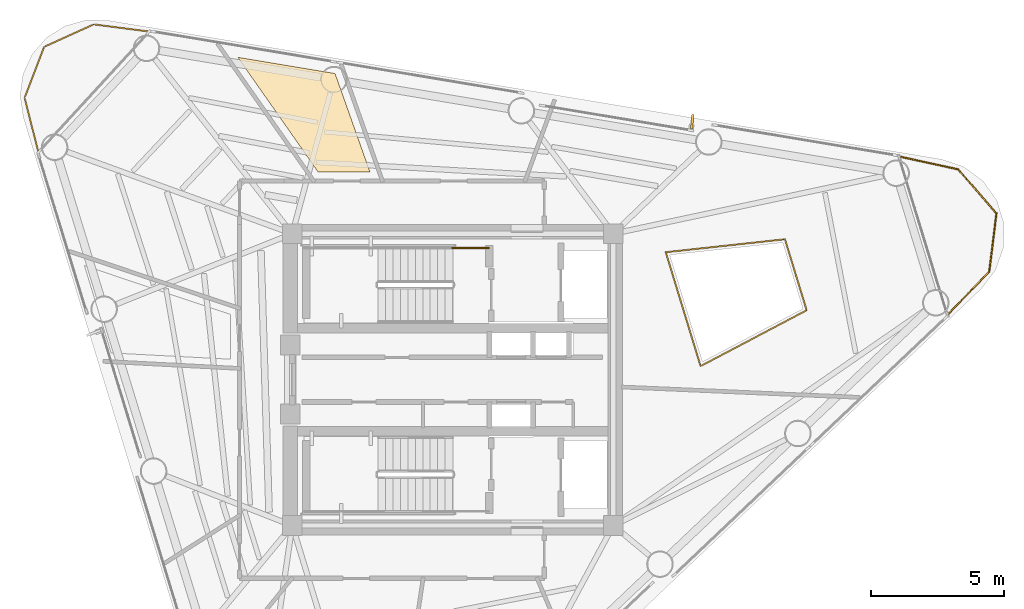
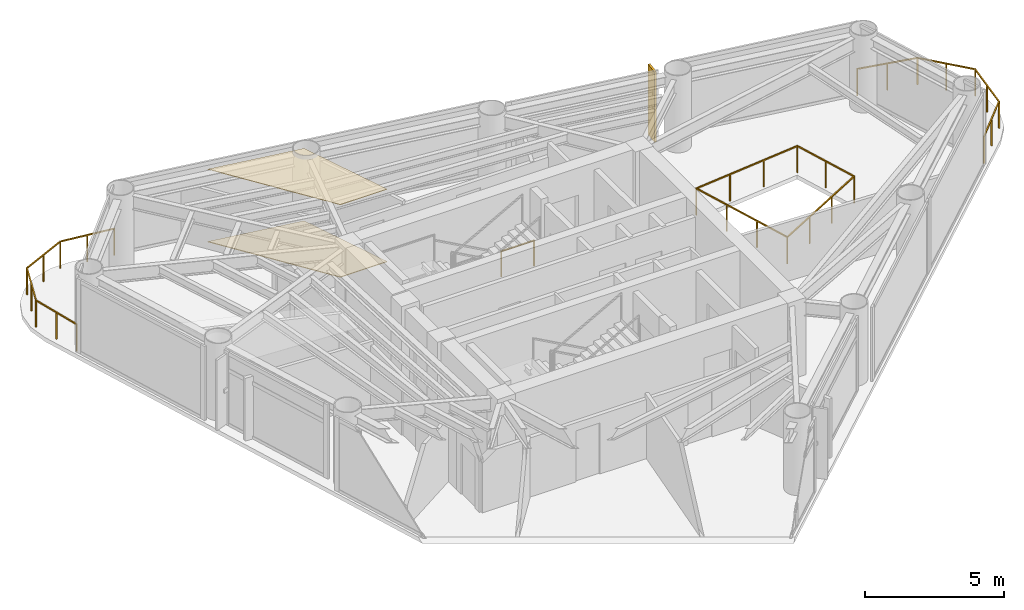
# One storey, part 9 of 9: 4 railings, 2 coverings, 1 shading device.
"""IFC4 building model written with IfcOpenShell, lengths in metres."""

from ifc_helpers import new_model, si_unit, direction, frame, origin, origin_2d, place, context, subcontext, project, spatial, polyline, rectangle, outline, extrude, source, transform, mapped, material, layer, layer_set, material_profile, profile_set, type_object, element, save


model = new_model("IFC4")

# Units and contexts
model_context = context("Model", 3, precision=1e-05, world=origin(), true_north=direction((0.0, 1.0)))
body_context = subcontext(model_context, "Body", "Model", "MODEL_VIEW")
ifc_project = project(units=[si_unit("LENGTHUNIT", "METRE"), si_unit("AREAUNIT", "SQUARE_METRE"), si_unit("VOLUMEUNIT", "CUBIC_METRE"), si_unit("PLANEANGLEUNIT", "RADIAN"), si_unit("MASSUNIT", "GRAM", prefix="KILO")], contexts=[model_context])

# Site, building, storey
site_placement = place(None, origin())
site = spatial("IfcSite", under=ifc_project, at=site_placement, CompositionType="ELEMENT")
building_placement = place(site_placement, origin())
building = spatial("IfcBuilding", under=site, at=building_placement, Name="Yunling Apex Tower", CompositionType="ELEMENT")
storey_placement = place(building_placement, frame((0.0, 0.0, 228.64990234375)))
storey = spatial("IfcBuildingStorey", under=building, at=storey_placement, Name="L55", CompositionType="ELEMENT", Elevation=228.64990234375)

# Coverings
ifc_material_1 = material(Name="Acoustic mineral fibre ceiling")
ifc_layer_1 = layer(ifc_material_1, 0.02490234375)
ifc_layer_set_1 = layer_set([ifc_layer_1], Name="Acoustic mineral fibre ceiling")
covering_type_1 = type_object("IfcCoveringType", Name="CV-CLG-1", PredefinedType="CEILING", material=ifc_layer_set_1)
covering_1_placement = place(storey_placement, frame((0.0, 0.0, 3.195068359375)))
element("IfcCovering", 1, at=covering_1_placement, inside=storey, type_object=covering_type_1, Name="CV-CL-SP-L55-AMN8", PredefinedType="CEILING", context=body_context, shape_type="SweptSolid", body=[
    extrude(outline(polyline([(-8.102783203125, 12.1474609375), (-4.435302734375, 11.536376953125), (-3.119384765625, 7.820068359375), (-5.07275390625, 7.820068359375), (-8.102783203125, 12.1474609375)])), origin(), (0.0, 0.0, 1.0), 0.025146484375),
])
ifc_material_2 = material(Name="Polished granite stone", Category="masonry")
ifc_layer_2 = layer(ifc_material_2, 0.030029296875)
ifc_layer_set_2 = layer_set([ifc_layer_2], Name="Polished granite stone")
covering_type_2 = type_object("IfcCoveringType", Name="CV-FLR-1", PredefinedType="FLOORING", material=ifc_layer_set_2)
covering_2_placement = place(storey_placement, origin())
element("IfcCovering", 2, at=covering_2_placement, inside=storey, type_object=covering_type_2, Name="CV-FL-SP-L55-AMN8", PredefinedType="FLOORING", context=body_context, shape_type="SweptSolid", body=[
    extrude(outline(polyline([(-8.102783203125, 12.1474609375), (-4.435302734375, 11.536376953125), (-3.119384765625, 7.820068359375), (-5.07275390625, 7.820068359375), (-8.102783203125, 12.1474609375)])), origin(), (0.0, 0.0, 1.0), 0.030029296875),
])

# Railings
ifc_material_3 = material(Name="Bronze anodised aluminium", Category="aluminium")
railing_type_1 = type_object("IfcRailingType", Name="RL-BAL-1200", PredefinedType="BALUSTRADE", material=ifc_material_3)
railing_1_placement = place(storey_placement, frame((16.8173828125, 8.41064453125, 0.0)))
element("IfcRailing", 3, at=railing_1_placement, inside=storey, type_object=railing_type_1, Name="RL-CRNSILL-L55-1", PredefinedType="BALUSTRADE", context=body_context, shape_type="SweptSolid", body=[
    extrude(rectangle(XDim=0.0439453125, YDim=0.0439453125, at=origin_2d()), origin(), (0.0, 0.0, 1.0), 1.199951171875),
    extrude(rectangle(XDim=0.0439453125, YDim=0.0439453125, at=origin_2d()), frame((2.2275390625, -0.484130859375, 0.0)), (0.0, 0.0, 1.0), 1.199951171875),
    extrude(rectangle(XDim=0.050048828125, YDim=0.050048828125, at=origin_2d()), frame((0.037353515625, -0.008056640625, 1.1748046875), z_axis=(0.977186995442, -0.212380733446, 0.0), x_axis=(0.212380733446, 0.977186995442, 0.0)), (0.0, 0.0, 1.0), 2.202880859375),
    extrude(rectangle(XDim=0.0439453125, YDim=0.0439453125, at=origin_2d()), frame((1.11376953125, -0.2421875, 0.0)), (0.0, 0.0, 1.0), 1.14599609375),
    extrude(rectangle(XDim=0.0439453125, YDim=0.0439453125, at=origin_2d()), frame((3.673828125, -2.145751953125, 0.0)), (0.0, 0.0, 1.0), 1.199951171875),
    extrude(rectangle(XDim=0.050048828125, YDim=0.050048828125, at=origin_2d()), frame((2.252685546875, -0.512939453125, 1.1748046875), z_axis=(0.656540826245, -0.754290490112, 0.0), x_axis=(0.754290490112, 0.656540826245, 0.0)), (0.0, 0.0, 1.0), 2.126220703125),
    extrude(rectangle(XDim=0.0439453125, YDim=0.0439453125, at=origin_2d()), frame((2.95068359375, -1.31494140625, 0.0)), (0.0, 0.0, 1.0), 1.14599609375),
    extrude(rectangle(XDim=0.0439453125, YDim=0.0439453125, at=origin_2d()), frame((3.404052734375, -4.332275390625, 0.0)), (0.0, 0.0, 1.0), 1.199951171875),
    extrude(rectangle(XDim=0.050048828125, YDim=0.050048828125, at=origin_2d()), frame((3.669189453125, -2.183837890625, 1.1748046875), z_axis=(-0.122452455401, -0.992474380609, 0.0), x_axis=(0.992474380609, -0.122452455401, 0.0)), (0.0, 0.0, 1.0), 2.12646484375),
    extrude(rectangle(XDim=0.0439453125, YDim=0.0439453125, at=origin_2d()), frame((3.5390625, -3.239013671875, 0.0)), (0.0, 0.0, 1.0), 1.14599609375),
    extrude(rectangle(XDim=0.0439453125, YDim=0.0439453125, at=origin_2d()), frame((1.828125, -5.979248046875, 0.0)), (0.0, 0.0, 1.0), 1.199951171875),
    extrude(rectangle(XDim=0.050048828125, YDim=0.050048828125, at=origin_2d()), frame((3.37744140625, -4.35986328125, 1.1748046875), z_axis=(-0.691351518359, -0.722518565895, 0.0), x_axis=(0.722518565895, -0.691351518359, 0.0)), (0.0, 0.0, 1.0), 2.202880859375),
    extrude(rectangle(XDim=0.0439453125, YDim=0.0439453125, at=origin_2d()), frame((2.6162109375, -5.15576171875, 0.0)), (0.0, 0.0, 1.0), 1.14599609375),
])
railing_2_placement = place(storey_placement, frame((-15.61962890625, 8.571533203125, 0.0)))
element("IfcRailing", 4, at=railing_2_placement, inside=storey, type_object=railing_type_1, Name="RL-CRNSILL-L55-2", PredefinedType="BALUSTRADE", context=body_context, shape_type="SweptSolid", body=[
    extrude(rectangle(XDim=0.0439453125, YDim=0.0439453125, at=origin_2d()), origin(), (0.0, 0.0, 1.0), 1.199951171875),
    extrude(rectangle(XDim=0.0439453125, YDim=0.0439453125, at=origin_2d()), frame((-0.5185546875, 2.04931640625, 0.0)), (0.0, 0.0, 1.0), 1.199951171875),
    extrude(rectangle(XDim=0.050048828125, YDim=0.050048828125, at=origin_2d()), frame((-0.009521484375, 0.037109375, 1.1748046875), z_axis=(-0.245306459502, 0.969445584304, 0.0), x_axis=(-0.969445584304, -0.245306459502, 0.0)), (0.0, 0.0, 1.0), 2.037353515625),
    extrude(rectangle(XDim=0.0439453125, YDim=0.0439453125, at=origin_2d()), frame((-0.25927734375, 1.024658203125, 0.0)), (0.0, 0.0, 1.0), 1.14599609375),
    extrude(rectangle(XDim=0.0439453125, YDim=0.0439453125, at=origin_2d()), frame((0.216552734375, 3.970458984375, 0.0)), (0.0, 0.0, 1.0), 1.199951171875),
    extrude(rectangle(XDim=0.050048828125, YDim=0.050048828125, at=origin_2d()), frame((-0.5048828125, 2.085205078125, 1.1748046875), z_axis=(0.357371966157, 0.933962139385, 0.0), x_axis=(-0.933962139385, 0.357371966157, 0.0)), (0.0, 0.0, 1.0), 1.980224609375),
    extrude(rectangle(XDim=0.0439453125, YDim=0.0439453125, at=origin_2d()), frame((-0.15087890625, 3.009765625, 0.0)), (0.0, 0.0, 1.0), 1.14599609375),
    extrude(rectangle(XDim=0.0439453125, YDim=0.0439453125, at=origin_2d()), frame((2.083740234375, 4.817626953125, 0.0)), (0.0, 0.0, 1.0), 1.199951171875),
    extrude(rectangle(XDim=0.050048828125, YDim=0.050048828125, at=origin_2d()), frame((0.25146484375, 3.986328125, 1.1748046875), z_axis=(0.910651704015, 0.413174870938, 0.0), x_axis=(-0.413174870938, 0.910651704015, 0.0)), (0.0, 0.0, 1.0), 1.9736328125),
    extrude(rectangle(XDim=0.0439453125, YDim=0.0439453125, at=origin_2d()), frame((1.150146484375, 4.39404296875, 0.0)), (0.0, 0.0, 1.0), 1.14599609375),
    extrude(rectangle(XDim=0.0439453125, YDim=0.0439453125, at=origin_2d()), frame((4.180908203125, 4.54736328125, 0.0)), (0.0, 0.0, 1.0), 1.199951171875),
    extrude(rectangle(XDim=0.050048828125, YDim=0.050048828125, at=origin_2d()), frame((2.121826171875, 4.812744140625, 1.1748046875), z_axis=(0.99179818069, -0.127813805125, 0.0), x_axis=(0.127813805125, 0.99179818069, 0.0)), (0.0, 0.0, 1.0), 2.037841796875),
    extrude(rectangle(XDim=0.0439453125, YDim=0.0439453125, at=origin_2d()), frame((3.13232421875, 4.6826171875, 0.0)), (0.0, 0.0, 1.0), 1.14599609375),
])
railing_3_placement = place(storey_placement, frame((8.02685546875, 4.8017578125, 0.0)))
element("IfcRailing", 5, at=railing_3_placement, inside=storey, type_object=railing_type_1, Name="RL-TATR-L55", PredefinedType="BALUSTRADE", context=body_context, shape_type="SweptSolid", body=[
    extrude(rectangle(XDim=0.0439453125, YDim=0.0439453125, at=origin_2d()), origin(), (0.0, 0.0, 1.0), 1.199951171875),
    extrude(rectangle(XDim=0.0439453125, YDim=0.0439453125, at=origin_2d()), frame((4.4931640625, 0.4892578125, 0.0)), (0.0, 0.0, 1.0), 1.199951171875),
    extrude(rectangle(XDim=0.050048828125, YDim=0.050048828125, at=origin_2d()), frame((0.0380859375, 0.004150390625, 1.1748046875), z_axis=(0.994123756521, 0.108249511414, 0.0), x_axis=(-0.108249511414, 0.994123756521, 0.0)), (0.0, 0.0, 1.0), 4.443115234375),
    extrude(rectangle(XDim=0.0439453125, YDim=0.0439453125, at=origin_2d()), frame((1.497802734375, 0.1630859375, 0.0)), (0.0, 0.0, 1.0), 1.14599609375),
    extrude(rectangle(XDim=0.0439453125, YDim=0.0439453125, at=origin_2d()), frame((2.995361328125, 0.326171875, 0.0)), (0.0, 0.0, 1.0), 1.14599609375),
    extrude(rectangle(XDim=0.0439453125, YDim=0.0439453125, at=origin_2d()), frame((5.3115234375, -2.18701171875, 0.0)), (0.0, 0.0, 1.0), 1.199951171875),
    extrude(rectangle(XDim=0.050048828125, YDim=0.050048828125, at=origin_2d()), frame((4.50439453125, 0.45263671875, 1.1748046875), z_axis=(0.292417998169, -0.956290601411, 0.0), x_axis=(0.956290601411, 0.292417998169, 0.0)), (0.0, 0.0, 1.0), 2.721923828125),
    extrude(rectangle(XDim=0.0439453125, YDim=0.0439453125, at=origin_2d()), frame((4.90234375, -0.848876953125, 0.0)), (0.0, 0.0, 1.0), 1.14599609375),
    extrude(rectangle(XDim=0.0439453125, YDim=0.0439453125, at=origin_2d()), frame((1.312744140625, -4.2939453125, 0.0)), (0.0, 0.0, 1.0), 1.199951171875),
    extrude(rectangle(XDim=0.050048828125, YDim=0.050048828125, at=origin_2d()), frame((5.277587890625, -2.204833984375, 1.1748046875), z_axis=(-0.884707228161, -0.466147101717, 0.0), x_axis=(0.466147101717, -0.884707228161, 0.0)), (0.0, 0.0, 1.0), 4.443115234375),
    extrude(rectangle(XDim=0.0439453125, YDim=0.0439453125, at=origin_2d()), frame((3.978515625, -2.889404296875, 0.0)), (0.0, 0.0, 1.0), 1.14599609375),
    extrude(rectangle(XDim=0.0439453125, YDim=0.0439453125, at=origin_2d()), frame((2.645751953125, -3.591552734375, 0.0)), (0.0, 0.0, 1.0), 1.14599609375),
    extrude(rectangle(XDim=0.050048828125, YDim=0.050048828125, at=origin_2d()), frame((1.301513671875, -4.25732421875, 1.1748046875), z_axis=(-0.292362196042, 0.956307663007, 0.0), x_axis=(-0.956307663007, -0.292362196042, 0.0)), (0.0, 0.0, 1.0), 4.41357421875),
    extrude(rectangle(XDim=0.0439453125, YDim=0.0439453125, at=origin_2d()), frame((0.875244140625, -2.862548828125, 0.0)), (0.0, 0.0, 1.0), 1.14599609375),
    extrude(rectangle(XDim=0.0439453125, YDim=0.0439453125, at=origin_2d()), frame((0.4375, -1.431396484375, 0.0)), (0.0, 0.0, 1.0), 1.14599609375),
])
ifc_material_4 = material(Name="Steel Q355B", Category="steel")
railing_type_2 = type_object("IfcRailingType", Name="RL-GRD-1150", PredefinedType="GUARDRAIL", material=ifc_material_4)
railing_4_placement = place(storey_placement, frame((1.35009765625, 4.9599609375, 0.0)))
element("IfcRailing", 6, at=railing_4_placement, inside=storey, type_object=railing_type_2, Name="L55 ST-1 stair guard 6", PredefinedType="GUARDRAIL", context=body_context, shape_type="SweptSolid", body=[
    extrude(rectangle(XDim=0.0439453125, YDim=0.0439453125, at=origin_2d()), origin(), (0.0, 0.0, 1.0), 1.14990234375),
    extrude(rectangle(XDim=0.0439453125, YDim=0.0439453125, at=origin_2d()), frame((-1.360107421875, 0.0, 0.0)), (0.0, 0.0, 1.0), 1.14990234375),
    extrude(rectangle(XDim=0.050048828125, YDim=0.050048828125, at=origin_2d()), frame((-0.038330078125, 0.0, 1.125), z_axis=(-1.0, 0.0, 0.0), x_axis=(0.0, -1.0, 0.0)), (0.0, 0.0, 1.0), 1.283447265625),
])

# Shading device
ifc_material_profile = material_profile(ifc_material_3, rectangle(XDim=0.0849609375, YDim=0.550048828125, at=origin_2d()))
ifc_profile_set = profile_set([ifc_material_profile], Name="Bronze anodised aluminium")
shading_device_type = type_object("IfcShadingDeviceType", Name="FN-BRZ-3", PredefinedType="USERDEFINED", material=ifc_profile_set)
shared_shape = source(origin(), body_context, "Body", "SweptSolid", [
    extrude(rectangle(XDim=0.0849609375, YDim=0.550048828125, at=origin_2d()), origin(), (0.0, 0.0, 1.0), 3.10009765625),
])
shading_device_placement = place(storey_placement, frame((9.0244140625, 9.71435546875, 0.06005859375), z_axis=(0.0, 0.0, 1.0), x_axis=(-0.995038220239, 0.099493418189, 0.0)))
element("IfcShadingDevice", 7, at=shading_device_placement, inside=storey, type_object=shading_device_type, Name="CW-L55-F2-B2-FIN-01", ObjectType="FIN", PredefinedType="USERDEFINED", context=body_context, shape_type="MappedRepresentation", body=[
    mapped(shared_shape, transform((0.0, 0.0, 0.0), scale=1.0)),
])

save(model, "model.ifc")
